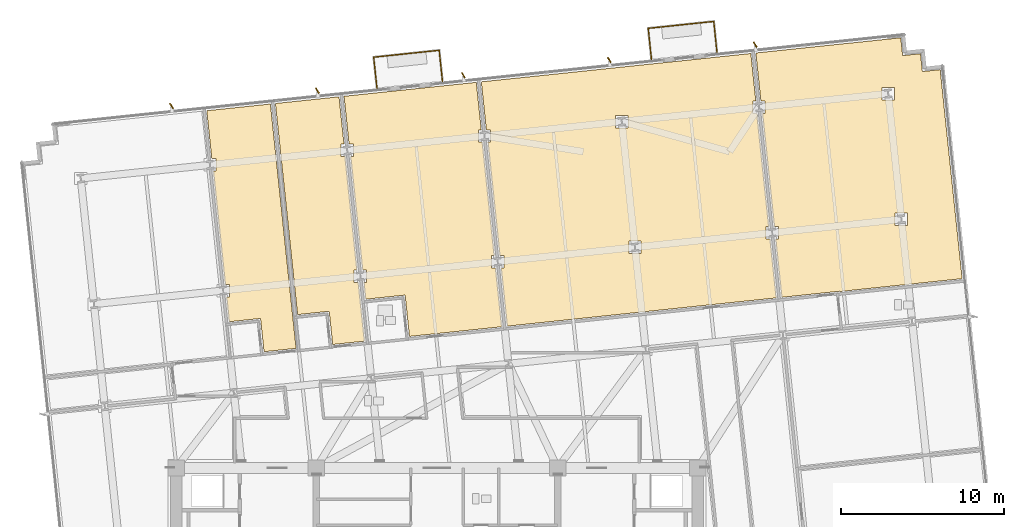
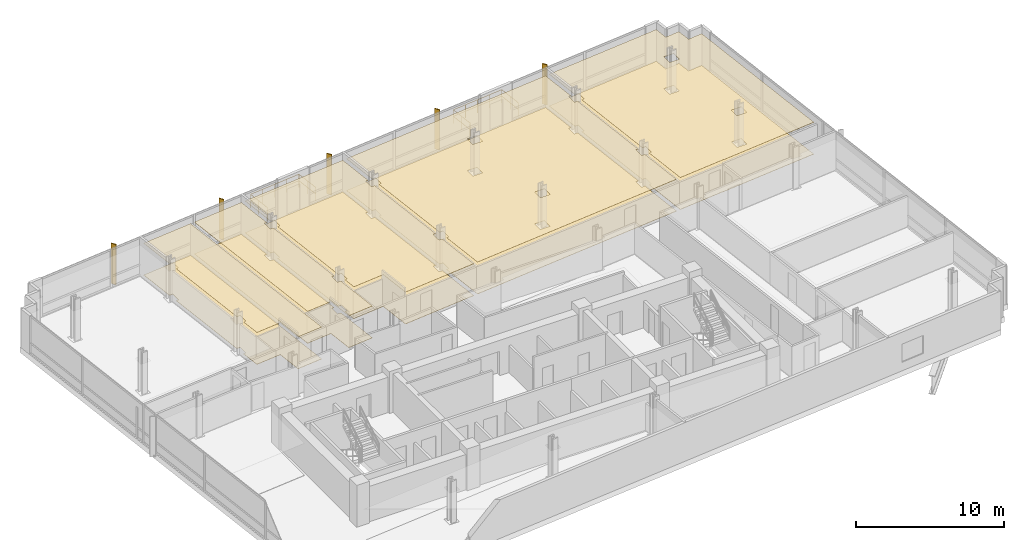
# One storey, part 17 of 18: 10 coverings, 6 railings, 5 shading devices.
"""IFC4 building model written with IfcOpenShell, lengths in metres."""

from ifc_helpers import new_model, si_unit, direction, frame, origin, origin_2d, place, context, subcontext, project, spatial, polyline, rectangle, circle, outline, extrude, material, layer, layer_set, type_object, element, save


model = new_model("IFC4")

# Units and contexts
model_context = context("Model", 3, precision=1e-05, world=origin(), true_north=direction((0.0, 1.0)))
body_context = subcontext(model_context, "Body", "Model", "MODEL_VIEW")
ifc_project = project(units=[si_unit("LENGTHUNIT", "METRE"), si_unit("AREAUNIT", "SQUARE_METRE"), si_unit("VOLUMEUNIT", "CUBIC_METRE"), si_unit("PLANEANGLEUNIT", "RADIAN"), si_unit("MASSUNIT", "GRAM", prefix="KILO")], contexts=[model_context])

# Site, building, storey
site_placement = place(None, origin())
site = spatial("IfcSite", under=ifc_project, at=site_placement, CompositionType="ELEMENT")
building_placement = place(site_placement, origin())
building = spatial("IfcBuilding", under=site, at=building_placement, Name="Solmavex Isthmus Hotel", CompositionType="ELEMENT")
storey_placement = place(building_placement, frame((0.0, 0.0, 80.10009765625)))
storey = spatial("IfcBuildingStorey", under=building, at=storey_placement, Name="L21", CompositionType="ELEMENT", Elevation=80.10009765625)

# Coverings
ifc_material_1 = material(Name="Gypsum plasterboard lining", Category="gypsum")
ifc_layer_1 = layer(ifc_material_1, 0.030029296875)
ifc_layer_set_1 = layer_set([ifc_layer_1], Name="Gypsum plasterboard lining")
covering_type_1 = type_object("IfcCoveringType", Name="COV-CEIL-GYP", PredefinedType="CEILING", material=ifc_layer_set_1)
covering_1_placement = place(storey_placement, frame((0.0, 0.0, 2.619873046875)))
element("IfcCovering", 1, at=covering_1_placement, inside=storey, type_object=covering_type_1, Name="Suspended Acoustic Ceiling L21-RM02", PredefinedType="CEILING", context=body_context, shape_type="SweptSolid", body=[
    extrude(outline(polyline([(-13.8115234375, 16.4716796875), (-13.54736328125, 16.4716796875), (-13.54736328125, 15.711669921875), (-13.731689453125, 15.711669921875), (-13.233154296875, 10.97021484375), (-13.001220703125, 8.76220703125), (-12.737060546875, 8.76220703125), (-12.737060546875, 8.002197265625), (-12.92138671875, 8.002197265625), (-12.759765625, 6.466064453125), (-10.8232421875, 6.66943359375), (-10.609130859375, 4.630615234375), (-8.64404296875, 4.837158203125), (-10.21923828125, 19.82470703125), (-14.120849609375, 19.41455078125), (-13.8115234375, 16.4716796875)])), origin(), (0.0, 0.0, 1.0), 0.030029296875),
])
covering_2_placement = place(storey_placement, frame((0.0, 0.0, 2.619873046875)))
element("IfcCovering", 2, at=covering_2_placement, inside=storey, type_object=covering_type_1, Name="Suspended Acoustic Ceiling L21-RM03", PredefinedType="CEILING", context=body_context, shape_type="SweptSolid", body=[
    extrude(outline(polyline([(-5.623779296875, 16.5966796875), (-5.8876953125, 16.5966796875), (-5.8876953125, 17.356689453125), (-5.70361328125, 17.356689453125), (-6.009521484375, 20.26708984375), (-9.910888671875, 19.857177734375), (-8.550048828125, 6.908447265625), (-6.613525390625, 7.112060546875), (-6.399169921875, 5.0732421875), (-4.434326171875, 5.27978515625), (-4.8134765625, 8.886962890625), (-5.077392578125, 8.886962890625), (-5.077392578125, 9.64697265625), (-4.893310546875, 9.64697265625), (-5.623779296875, 16.5966796875)])), origin(), (0.0, 0.0, 1.0), 0.030029296875),
])
covering_3_placement = place(storey_placement, frame((0.0, 0.0, 2.619873046875)))
element("IfcCovering", 3, at=covering_3_placement, inside=storey, type_object=covering_type_1, Name="Suspended Acoustic Ceiling L21-RM04", PredefinedType="CEILING", context=body_context, shape_type="SweptSolid", body=[
    extrude(outline(polyline([(-4.58154296875, 9.64697265625), (-4.3173828125, 9.64697265625), (-4.3173828125, 8.886962890625), (-4.501708984375, 8.886962890625), (-4.392578125, 7.84814453125), (-1.955810546875, 8.104248046875), (-1.689453125, 5.568115234375), (-1.164306640625, 5.62353515625), (-0.57666015625, 5.68505859375), (3.9853515625, 6.16455078125), (3.606201171875, 9.77197265625), (3.34228515625, 9.77197265625), (3.34228515625, 10.531982421875), (3.5263671875, 10.531982421875), (2.7958984375, 17.4814453125), (2.53173828125, 17.4814453125), (2.53173828125, 18.241455078125), (2.716064453125, 18.241455078125), (2.41015625, 21.152099609375), (-5.701171875, 20.299560546875), (-5.391845703125, 17.356689453125), (-5.127685546875, 17.356689453125), (-5.127685546875, 16.5966796875), (-5.31201171875, 16.5966796875), (-4.58154296875, 9.64697265625)])), origin(), (0.0, 0.0, 1.0), 0.030029296875),
])
covering_4_placement = place(storey_placement, frame((0.0, 0.0, 2.619873046875)))
element("IfcCovering", 4, at=covering_4_placement, inside=storey, type_object=covering_type_1, Name="Suspended Acoustic Ceiling L21-RM05", PredefinedType="CEILING", context=body_context, shape_type="SweptSolid", body=[
    extrude(outline(polyline([(3.838134765625, 10.531982421875), (4.10205078125, 10.531982421875), (4.10205078125, 9.77197265625), (3.91796875, 9.77197265625), (4.293701171875, 6.197021484375), (15.69482421875, 7.395263671875), (17.917724609375, 7.62890625), (20.82470703125, 7.9345703125), (20.445556640625, 11.541748046875), (20.181396484375, 11.541748046875), (20.181396484375, 12.3017578125), (20.36572265625, 12.3017578125), (19.63525390625, 19.25146484375), (19.37109375, 19.25146484375), (19.37109375, 20.011474609375), (19.555419921875, 20.011474609375), (19.24951171875, 22.921875), (2.718505859375, 21.1845703125), (2.740966796875, 20.970703125), (3.02783203125, 18.241455078125), (3.291748046875, 18.241455078125), (3.291748046875, 17.4814453125), (3.107666015625, 17.4814453125), (3.838134765625, 10.531982421875)]), holes=[polyline([(11.76171875, 10.656982421875), (11.76171875, 11.4169921875), (12.521728515625, 11.4169921875), (12.521728515625, 10.656982421875), (11.76171875, 10.656982421875)]), polyline([(10.951416015625, 18.366455078125), (10.951416015625, 19.12646484375), (11.71142578125, 19.12646484375), (11.71142578125, 18.366455078125), (10.951416015625, 18.366455078125)])]), origin(), (0.0, 0.0, 1.0), 0.030029296875),
])
covering_5_placement = place(storey_placement, frame((0.0, 0.0, 2.619873046875)))
element("IfcCovering", 5, at=covering_5_placement, inside=storey, type_object=covering_type_1, Name="Suspended Acoustic Ceiling L21-RM06", PredefinedType="CEILING", context=body_context, shape_type="SweptSolid", body=[
    extrude(outline(polyline([(20.67724609375, 12.3017578125), (20.94140625, 12.3017578125), (20.94140625, 11.541748046875), (20.75732421875, 11.541748046875), (21.133056640625, 7.967041015625), (24.713134765625, 8.34326171875), (24.71533203125, 8.3232421875), (32.2119140625, 9.111328125), (30.950927734375, 21.110107421875), (30.86474609375, 21.9306640625), (29.770751953125, 21.815673828125), (29.65576171875, 22.90966796875), (28.561767578125, 22.794677734375), (28.44677734375, 23.888671875), (27.626220703125, 23.802490234375), (19.5576171875, 22.954345703125), (19.866943359375, 20.011474609375), (20.131103515625, 20.011474609375), (20.131103515625, 19.25146484375), (19.947021484375, 19.25146484375), (20.67724609375, 12.3017578125)]), holes=[polyline([(28.105712890625, 12.374755859375), (28.105712890625, 13.134765625), (28.86572265625, 13.134765625), (28.86572265625, 12.374755859375), (28.105712890625, 12.374755859375)]), polyline([(27.29541015625, 20.84423828125), (28.055419921875, 20.84423828125), (28.055419921875, 20.084228515625), (27.29541015625, 20.084228515625), (27.29541015625, 20.84423828125)])]), origin(), (0.0, 0.0, 1.0), 0.030029296875),
])
ifc_material_2 = material(Name="Travertine natural stone", Category="masonry")
ifc_layer_2 = layer(ifc_material_2, 0.02490234375)
ifc_layer_set_2 = layer_set([ifc_layer_2], Name="Travertine natural stone")
covering_type_2 = type_object("IfcCoveringType", Name="COV-FLOR-STN", PredefinedType="FLOORING", material=ifc_layer_set_2)
covering_6_placement = place(storey_placement, origin())
element("IfcCovering", 6, at=covering_6_placement, inside=storey, type_object=covering_type_2, Name="Stone and Timber Floor Finish L21-RM02", PredefinedType="FLOORING", context=body_context, shape_type="SweptSolid", body=[
    extrude(outline(polyline([(-13.8115234375, 16.4716796875), (-13.54736328125, 16.4716796875), (-13.54736328125, 15.711669921875), (-13.731689453125, 15.711669921875), (-13.233154296875, 10.97021484375), (-13.001220703125, 8.76220703125), (-12.737060546875, 8.76220703125), (-12.737060546875, 8.002197265625), (-12.92138671875, 8.002197265625), (-12.759765625, 6.466064453125), (-10.8232421875, 6.66943359375), (-10.609130859375, 4.630615234375), (-8.64404296875, 4.837158203125), (-10.21923828125, 19.82470703125), (-14.120849609375, 19.41455078125), (-13.8115234375, 16.4716796875)])), origin(), (0.0, 0.0, 1.0), 0.02490234375),
])
covering_7_placement = place(storey_placement, origin())
element("IfcCovering", 7, at=covering_7_placement, inside=storey, type_object=covering_type_2, Name="Stone and Timber Floor Finish L21-RM03", PredefinedType="FLOORING", context=body_context, shape_type="SweptSolid", body=[
    extrude(outline(polyline([(-5.623779296875, 16.5966796875), (-5.8876953125, 16.5966796875), (-5.8876953125, 17.356689453125), (-5.70361328125, 17.356689453125), (-6.009521484375, 20.26708984375), (-9.910888671875, 19.857177734375), (-8.550048828125, 6.908447265625), (-6.613525390625, 7.112060546875), (-6.399169921875, 5.0732421875), (-4.434326171875, 5.27978515625), (-4.8134765625, 8.886962890625), (-5.077392578125, 8.886962890625), (-5.077392578125, 9.64697265625), (-4.893310546875, 9.64697265625), (-5.623779296875, 16.5966796875)])), origin(), (0.0, 0.0, 1.0), 0.02490234375),
])
covering_8_placement = place(storey_placement, origin())
element("IfcCovering", 8, at=covering_8_placement, inside=storey, type_object=covering_type_2, Name="Stone and Timber Floor Finish L21-RM04", PredefinedType="FLOORING", context=body_context, shape_type="SweptSolid", body=[
    extrude(outline(polyline([(-4.58154296875, 9.64697265625), (-4.3173828125, 9.64697265625), (-4.3173828125, 8.886962890625), (-4.501708984375, 8.886962890625), (-4.392578125, 7.84814453125), (-1.955810546875, 8.104248046875), (-1.689453125, 5.568115234375), (-1.164306640625, 5.62353515625), (-0.57666015625, 5.68505859375), (3.9853515625, 6.16455078125), (3.606201171875, 9.77197265625), (3.34228515625, 9.77197265625), (3.34228515625, 10.531982421875), (3.5263671875, 10.531982421875), (2.7958984375, 17.4814453125), (2.53173828125, 17.4814453125), (2.53173828125, 18.241455078125), (2.716064453125, 18.241455078125), (2.41015625, 21.152099609375), (-5.701171875, 20.299560546875), (-5.391845703125, 17.356689453125), (-5.127685546875, 17.356689453125), (-5.127685546875, 16.5966796875), (-5.31201171875, 16.5966796875), (-4.58154296875, 9.64697265625)])), origin(), (0.0, 0.0, 1.0), 0.02490234375),
])
covering_9_placement = place(storey_placement, origin())
element("IfcCovering", 9, at=covering_9_placement, inside=storey, type_object=covering_type_2, Name="Stone and Timber Floor Finish L21-RM05", PredefinedType="FLOORING", context=body_context, shape_type="SweptSolid", body=[
    extrude(outline(polyline([(3.838134765625, 10.531982421875), (4.10205078125, 10.531982421875), (4.10205078125, 9.77197265625), (3.91796875, 9.77197265625), (4.293701171875, 6.197021484375), (15.69482421875, 7.395263671875), (17.917724609375, 7.62890625), (20.82470703125, 7.9345703125), (20.445556640625, 11.541748046875), (20.181396484375, 11.541748046875), (20.181396484375, 12.3017578125), (20.36572265625, 12.3017578125), (19.63525390625, 19.25146484375), (19.37109375, 19.25146484375), (19.37109375, 20.011474609375), (19.555419921875, 20.011474609375), (19.24951171875, 22.921875), (2.718505859375, 21.1845703125), (2.740966796875, 20.970703125), (3.02783203125, 18.241455078125), (3.291748046875, 18.241455078125), (3.291748046875, 17.4814453125), (3.107666015625, 17.4814453125), (3.838134765625, 10.531982421875)]), holes=[polyline([(11.76171875, 10.656982421875), (11.76171875, 11.4169921875), (12.521728515625, 11.4169921875), (12.521728515625, 10.656982421875), (11.76171875, 10.656982421875)]), polyline([(10.951416015625, 18.366455078125), (10.951416015625, 19.12646484375), (11.71142578125, 19.12646484375), (11.71142578125, 18.366455078125), (10.951416015625, 18.366455078125)])]), origin(), (0.0, 0.0, 1.0), 0.02490234375),
])
covering_10_placement = place(storey_placement, origin())
element("IfcCovering", 10, at=covering_10_placement, inside=storey, type_object=covering_type_2, Name="Stone and Timber Floor Finish L21-RM06", PredefinedType="FLOORING", context=body_context, shape_type="SweptSolid", body=[
    extrude(outline(polyline([(20.67724609375, 12.3017578125), (20.94140625, 12.3017578125), (20.94140625, 11.541748046875), (20.75732421875, 11.541748046875), (21.133056640625, 7.967041015625), (24.713134765625, 8.34326171875), (24.71533203125, 8.3232421875), (32.2119140625, 9.111328125), (30.950927734375, 21.110107421875), (30.86474609375, 21.9306640625), (29.770751953125, 21.815673828125), (29.65576171875, 22.90966796875), (28.561767578125, 22.794677734375), (28.44677734375, 23.888671875), (27.626220703125, 23.802490234375), (19.5576171875, 22.954345703125), (19.866943359375, 20.011474609375), (20.131103515625, 20.011474609375), (20.131103515625, 19.25146484375), (19.947021484375, 19.25146484375), (20.67724609375, 12.3017578125)]), holes=[polyline([(28.105712890625, 12.374755859375), (28.105712890625, 13.134765625), (28.86572265625, 13.134765625), (28.86572265625, 12.374755859375), (28.105712890625, 12.374755859375)]), polyline([(27.29541015625, 20.84423828125), (28.055419921875, 20.84423828125), (28.055419921875, 20.084228515625), (27.29541015625, 20.084228515625), (27.29541015625, 20.84423828125)])]), origin(), (0.0, 0.0, 1.0), 0.02490234375),
])

# Railings
ifc_material_3 = material(Name="Clear low-E laminated glass", Category="glass")
ifc_layer_3 = layer(ifc_material_3, 0.070068359375)
ifc_layer_set_3 = layer_set([ifc_layer_3], Name="Clear low-E laminated glass")
railing_type = type_object("IfcRailingType", Name="RAIL-GUARD-1100", PredefinedType="BALUSTRADE", material=ifc_layer_set_3)
railing_1_placement = place(storey_placement, frame((-3.68310546875, 20.7880859375, 0.0)))
element("IfcRailing", 11, at=railing_1_placement, inside=storey, type_object=railing_type, Name="Guardrail Balustrade L21-BAL1-01", PredefinedType="BALUSTRADE", context=body_context, shape_type="SweptSolid", body=[
    extrude(circle(Radius=0.02392578125, at=origin_2d()), frame((0.0, 0.0, 1.09619140625), z_axis=(-0.104512702575, 0.994523551758, 0.0), x_axis=(-0.994523551758, -0.104512702575, 0.0)), (0.0, 0.0, 1.0), 1.920166015625),
    extrude(circle(Radius=0.02392578125, at=origin_2d()), frame((0.0, 0.0, 0.56005859375), z_axis=(-0.104512702575, 0.994523551758, 0.0), x_axis=(-0.994523551758, -0.104512702575, 0.0)), (0.0, 0.0, 1.0), 1.920166015625),
    extrude(circle(Radius=0.02099609375, at=origin_2d()), origin(), (0.0, 0.0, 1.0), 1.072021484375),
    extrude(circle(Radius=0.02099609375, at=origin_2d()), frame((-0.100341796875, 0.954833984375, 0.0)), (0.0, 0.0, 1.0), 1.072021484375),
    extrude(circle(Radius=0.02099609375, at=origin_2d()), frame((-0.20068359375, 1.90966796875, 0.0)), (0.0, 0.0, 1.0), 1.072021484375),
])
railing_2_placement = place(storey_placement, frame((-3.8837890625, 22.69775390625, 0.0)))
element("IfcRailing", 12, at=railing_2_placement, inside=storey, type_object=railing_type, Name="Guardrail Balustrade L21-BAL1-02", PredefinedType="BALUSTRADE", context=body_context, shape_type="SweptSolid", body=[
    extrude(circle(Radius=0.02392578125, at=origin_2d()), frame((0.0, 0.0, 1.09619140625), z_axis=(0.994526294567, 0.104486599216, 0.0), x_axis=(-0.104486599216, 0.994526294567, 0.0)), (0.0, 0.0, 1.0), 4.0400390625),
    extrude(circle(Radius=0.02392578125, at=origin_2d()), frame((0.0, 0.0, 0.56005859375), z_axis=(0.994526294567, 0.104486599216, 0.0), x_axis=(-0.104486599216, 0.994526294567, 0.0)), (0.0, 0.0, 1.0), 4.0400390625),
    extrude(circle(Radius=0.02099609375, at=origin_2d()), origin(), (0.0, 0.0, 1.0), 1.072021484375),
    extrude(circle(Radius=0.02099609375, at=origin_2d()), frame((1.00439453125, 0.10546875, 0.0)), (0.0, 0.0, 1.0), 1.072021484375),
    extrude(circle(Radius=0.02099609375, at=origin_2d()), frame((2.0087890625, 0.2109375, 0.0)), (0.0, 0.0, 1.0), 1.072021484375),
    extrude(circle(Radius=0.02099609375, at=origin_2d()), frame((3.013427734375, 0.316650390625, 0.0)), (0.0, 0.0, 1.0), 1.072021484375),
    extrude(circle(Radius=0.02099609375, at=origin_2d()), frame((4.017822265625, 0.422119140625, 0.0)), (0.0, 0.0, 1.0), 1.072021484375),
])
railing_3_placement = place(storey_placement, frame((0.134033203125, 23.119873046875, 0.0)))
element("IfcRailing", 13, at=railing_3_placement, inside=storey, type_object=railing_type, Name="Guardrail Balustrade L21-BAL1-03", PredefinedType="BALUSTRADE", context=body_context, shape_type="SweptSolid", body=[
    extrude(circle(Radius=0.02392578125, at=origin_2d()), frame((0.0, 0.0, 1.09619140625), z_axis=(0.104525919671, -0.994522162708, 0.0), x_axis=(0.994522162708, 0.104525919671, 0.0)), (0.0, 0.0, 1.0), 1.919921875),
    extrude(circle(Radius=0.02392578125, at=origin_2d()), frame((0.0, 0.0, 0.56005859375), z_axis=(0.104525919671, -0.994522162708, 0.0), x_axis=(0.994522162708, 0.104525919671, 0.0)), (0.0, 0.0, 1.0), 1.919921875),
    extrude(circle(Radius=0.02099609375, at=origin_2d()), origin(), (0.0, 0.0, 1.0), 1.072021484375),
    extrude(circle(Radius=0.02099609375, at=origin_2d()), frame((0.100341796875, -0.95458984375, 0.0)), (0.0, 0.0, 1.0), 1.072021484375),
    extrude(circle(Radius=0.02099609375, at=origin_2d()), frame((0.20068359375, -1.909423828125, 0.0)), (0.0, 0.0, 1.0), 1.072021484375),
])
railing_4_placement = place(storey_placement, frame((13.156005859375, 22.55810546875, 0.0)))
element("IfcRailing", 14, at=railing_4_placement, inside=storey, type_object=railing_type, Name="Guardrail Balustrade L21-BAL2-01", PredefinedType="BALUSTRADE", context=body_context, shape_type="SweptSolid", body=[
    extrude(circle(Radius=0.02392578125, at=origin_2d()), frame((0.0, 0.0, 1.09619140625), z_axis=(-0.104525919671, 0.994522162708, 0.0), x_axis=(-0.994522162708, -0.104525919671, 0.0)), (0.0, 0.0, 1.0), 1.919921875),
    extrude(circle(Radius=0.02392578125, at=origin_2d()), frame((0.0, 0.0, 0.56005859375), z_axis=(-0.104525919671, 0.994522162708, 0.0), x_axis=(-0.994522162708, -0.104525919671, 0.0)), (0.0, 0.0, 1.0), 1.919921875),
    extrude(circle(Radius=0.02099609375, at=origin_2d()), origin(), (0.0, 0.0, 1.0), 1.072021484375),
    extrude(circle(Radius=0.02099609375, at=origin_2d()), frame((-0.100341796875, 0.95458984375, 0.0)), (0.0, 0.0, 1.0), 1.072021484375),
    extrude(circle(Radius=0.02099609375, at=origin_2d()), frame((-0.20068359375, 1.909423828125, 0.0)), (0.0, 0.0, 1.0), 1.072021484375),
])
railing_5_placement = place(storey_placement, frame((12.955322265625, 24.467529296875, 0.0)))
element("IfcRailing", 15, at=railing_5_placement, inside=storey, type_object=railing_type, Name="Guardrail Balustrade L21-BAL2-02", PredefinedType="BALUSTRADE", context=body_context, shape_type="SweptSolid", body=[
    extrude(circle(Radius=0.02392578125, at=origin_2d()), frame((0.0, 0.0, 1.09619140625), z_axis=(0.994520013058, 0.104546370699, 0.0), x_axis=(-0.104546370699, 0.994520013058, 0.0)), (0.0, 0.0, 1.0), 4.0400390625),
    extrude(circle(Radius=0.02392578125, at=origin_2d()), frame((0.0, 0.0, 0.56005859375), z_axis=(0.994520013058, 0.104546370699, 0.0), x_axis=(-0.104546370699, 0.994520013058, 0.0)), (0.0, 0.0, 1.0), 4.0400390625),
    extrude(circle(Radius=0.02099609375, at=origin_2d()), origin(), (0.0, 0.0, 1.0), 1.072021484375),
    extrude(circle(Radius=0.02099609375, at=origin_2d()), frame((1.00439453125, 0.10546875, 0.0)), (0.0, 0.0, 1.0), 1.072021484375),
    extrude(circle(Radius=0.02099609375, at=origin_2d()), frame((2.0087890625, 0.211181640625, 0.0)), (0.0, 0.0, 1.0), 1.072021484375),
    extrude(circle(Radius=0.02099609375, at=origin_2d()), frame((3.013427734375, 0.31689453125, 0.0)), (0.0, 0.0, 1.0), 1.072021484375),
    extrude(circle(Radius=0.02099609375, at=origin_2d()), frame((4.017822265625, 0.42236328125, 0.0)), (0.0, 0.0, 1.0), 1.072021484375),
])
railing_6_placement = place(storey_placement, frame((16.97314453125, 24.889892578125, 0.0)))
element("IfcRailing", 16, at=railing_6_placement, inside=storey, type_object=railing_type, Name="Guardrail Balustrade L21-BAL2-03", PredefinedType="BALUSTRADE", context=body_context, shape_type="SweptSolid", body=[
    extrude(circle(Radius=0.02392578125, at=origin_2d()), frame((0.0, 0.0, 1.09619140625), z_axis=(0.104525919671, -0.994522162708, 0.0), x_axis=(0.994522162708, 0.104525919671, 0.0)), (0.0, 0.0, 1.0), 1.919921875),
    extrude(circle(Radius=0.02392578125, at=origin_2d()), frame((0.0, 0.0, 0.56005859375), z_axis=(0.104525919671, -0.994522162708, 0.0), x_axis=(0.994522162708, 0.104525919671, 0.0)), (0.0, 0.0, 1.0), 1.919921875),
    extrude(circle(Radius=0.02099609375, at=origin_2d()), origin(), (0.0, 0.0, 1.0), 1.072021484375),
    extrude(circle(Radius=0.02099609375, at=origin_2d()), frame((0.100341796875, -0.95458984375, 0.0)), (0.0, 0.0, 1.0), 1.072021484375),
    extrude(circle(Radius=0.02099609375, at=origin_2d()), frame((0.20068359375, -1.909423828125, 0.0)), (0.0, 0.0, 1.0), 1.072021484375),
])

# Shading devices
ifc_material_4 = material(Name="Aluminium alloy 6063-T6", Category="aluminium")
shading_device_type = type_object("IfcShadingDeviceType", Name="SHD-FIN-CHAMP", PredefinedType="USERDEFINED", material=ifc_material_4)
for number, where, z_axis, x_axis, name in (
    (17, (-16.285888671875, 19.704833984375, -0.14013671875), (0.0, 0.0, 1.0), (-0.529919264233, 0.848048096156, 0.0), "Anodised Aluminium Solar Fin L21-N1"),
    (18, (-7.335205078125, 20.645751953125, -0.14013671875), (0.0, 0.0, 1.0), (-0.529919264233, 0.848048096156, 0.0), "Anodised Aluminium Solar Fin L21-N2"),
    (19, (1.615478515625, 21.58642578125, -0.14013671875), (0.0, 0.0, 1.0), (-0.529919264233, 0.848048096156, 0.0), "Anodised Aluminium Solar Fin L21-N3"),
    (20, (10.566162109375, 22.527099609375, -0.14013671875), (0.0, 0.0, 1.0), (-0.529919264233, 0.848048096156, 0.0), "Anodised Aluminium Solar Fin L21-N4"),
    (21, (19.516845703125, 23.468017578125, -0.14013671875), (0.0, 0.0, 1.0), (-0.529919264233, 0.848048096156, 0.0), "Anodised Aluminium Solar Fin L21-N5"),
):
    element("IfcShadingDevice", number, at=place(storey_placement, frame(where, z_axis=z_axis, x_axis=x_axis)), inside=storey, type_object=shading_device_type, Name=name, ObjectType="SOLAR_FIN", PredefinedType="USERDEFINED", context=body_context, shape_type="SweptSolid", body=[
        extrude(rectangle(XDim=0.3798828125, YDim=0.070068359375, at=origin_2d()), origin(), (0.0, 0.0, 1.0), 3.330078125),
    ])

save(model, "model.ifc")
